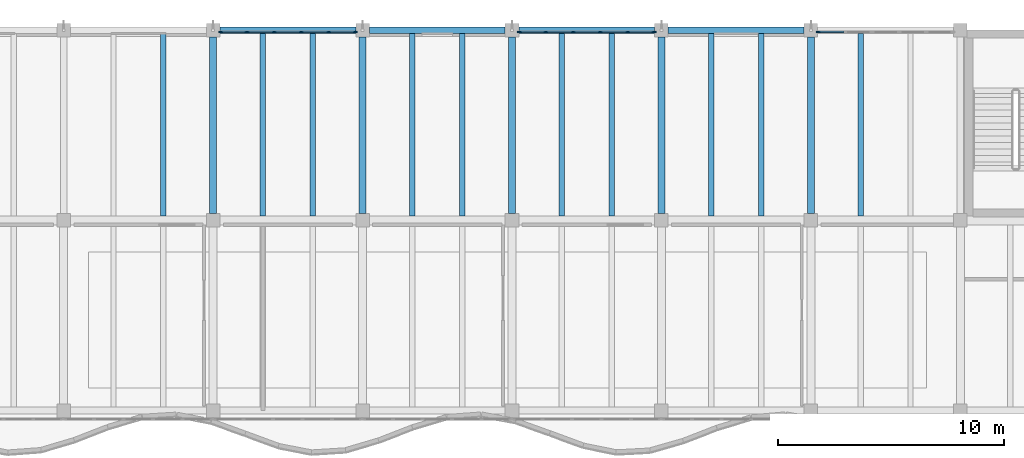
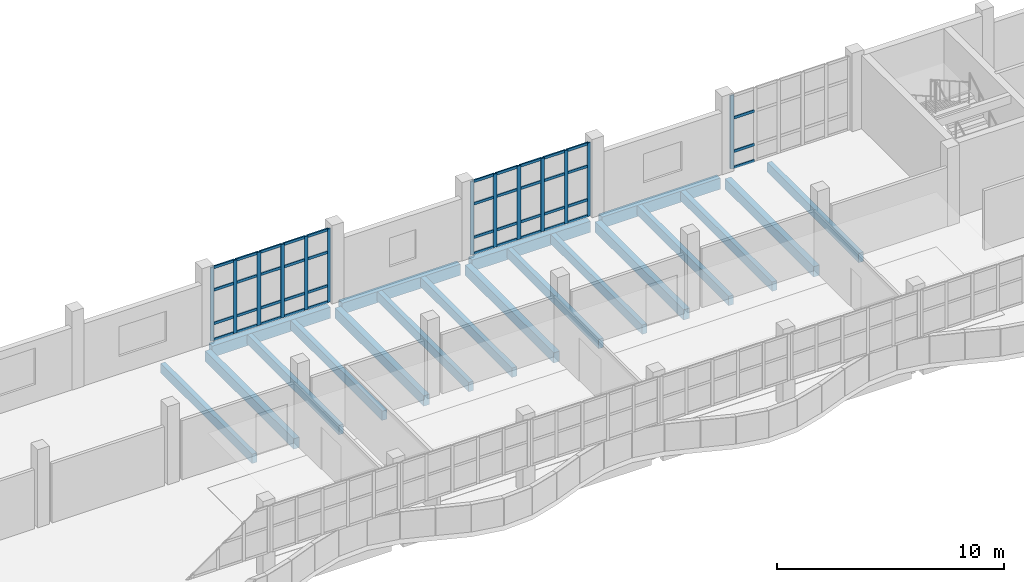
# One storey, part 15 of 74: 56 members, 19 beams, 3 elements without a shape of their own.
"""IFC4 building model written with IfcOpenShell, lengths in metres."""

from ifc_helpers import new_model, si_unit, direction, frame, origin, origin_2d, place, context, subcontext, project, spatial, rectangle, extrude, material, material_profile, profile_set, type_object, element, aggregate, save


model = new_model("IFC4")

# Units and contexts
model_context = context("Model", 3, precision=1e-05, world=origin(), true_north=direction((0.0, 1.0)))
body_context = subcontext(model_context, "Body", "Model", "MODEL_VIEW")
ifc_project = project(units=[si_unit("LENGTHUNIT", "METRE"), si_unit("AREAUNIT", "SQUARE_METRE"), si_unit("VOLUMEUNIT", "CUBIC_METRE"), si_unit("PLANEANGLEUNIT", "RADIAN"), si_unit("MASSUNIT", "GRAM", prefix="KILO")], contexts=[model_context])

# Site, building, storey
site_placement = place(None, origin())
site = spatial("IfcSite", under=ifc_project, at=site_placement, CompositionType="ELEMENT")
building_placement = place(site_placement, origin())
building = spatial("IfcBuilding", under=site, at=building_placement, Name="Qaldarim Faculty of Natural and Applied Sciences", CompositionType="ELEMENT")
storey_placement = place(building_placement, frame((0.0, 0.0, 14.39990234375)))
storey = spatial("IfcBuildingStorey", under=building, at=storey_placement, Name="L03", CompositionType="ELEMENT", Elevation=14.39990234375)

# Beams
ifc_material_1 = material(Name="Concrete C40/50", Category="concrete")
ifc_material_profile_1 = material_profile(ifc_material_1, rectangle(XDim=0.300048828125, YDim=0.550048828125, at=origin_2d()), Name="RC-B300x550")
ifc_profile_set_1 = profile_set([ifc_material_profile_1], Name="Concrete C40/50")
beam_type_1 = type_object("IfcBeamType", Name="FloorBeam-RC300x550", PredefinedType="BEAM", material=ifc_profile_set_1)
for number, where, z_axis, x_axis, name in (
    (1, (66.0, 109.5, -0.534912109375), (0.0, 1.0, 0.0), (-1.0, 0.0, 0.0), "Beam RC-B300x550 L02 X11/Y14-Y15"),
    (2, (72.60009765625, 109.5, -0.534912109375), (0.0, 1.0, 0.0), (-1.0, 0.0, 0.0), "Beam RC-B300x550 L02 X12/Y14-Y15"),
    (3, (79.199951171875, 109.5, -0.534912109375), (0.0, 1.0, 0.0), (-1.0, 0.0, 0.0), "Beam RC-B300x550 L02 X13/Y14-Y15"),
    (4, (85.800048828125, 109.5, -0.534912109375), (0.0, 1.0, 0.0), (-1.0, 0.0, 0.0), "Beam RC-B300x550 L02 X14/Y14-Y15"),
    (5, (92.39990234375, 109.5, -0.534912109375), (0.0, 1.0, 0.0), (-1.0, 0.0, 0.0), "Beam RC-B300x550 L02 X15/Y14-Y15"),
):
    element("IfcBeam", number, at=place(storey_placement, frame(where, z_axis=z_axis, x_axis=x_axis)), inside=storey, type_object=beam_type_1, Name=name, PredefinedType="BEAM", context=body_context, shape_type="SweptSolid", body=[
        extrude(rectangle(XDim=0.300048828125, YDim=0.550048828125, at=origin_2d()), origin(), (0.0, 0.0, 1.0), 7.800048828125),
    ])
ifc_material_profile_2 = material_profile(ifc_material_1, rectangle(XDim=0.239990234375, YDim=0.5, at=origin_2d()), Name="RC-J240x500")
ifc_profile_set_2 = profile_set([ifc_material_profile_2], Name="Concrete C40/50")
beam_type_2 = type_object("IfcBeamType", Name="HeavyJoist-RC240x500", PredefinedType="JOIST", material=ifc_profile_set_2)
for number, where, z_axis, x_axis, name in (
    (6, (63.800048828125, 109.39990234375, -0.510009765625), (0.0, 1.0, 0.0), (-1.0, 0.0, 0.0), "Laboratory joist L02 bay X10Y14-2"),
    (7, (68.199951171875, 109.39990234375, -0.510009765625), (0.0, 1.0, 0.0), (-1.0, 0.0, 0.0), "Laboratory joist L02 bay X11Y14-1"),
    (8, (70.39990234375, 109.39990234375, -0.510009765625), (0.0, 1.0, 0.0), (-1.0, 0.0, 0.0), "Laboratory joist L02 bay X11Y14-2"),
    (9, (74.800048828125, 109.39990234375, -0.510009765625), (0.0, 1.0, 0.0), (-1.0, 0.0, 0.0), "Laboratory joist L02 bay X12Y14-1"),
    (10, (77.0, 109.39990234375, -0.510009765625), (0.0, 1.0, 0.0), (-1.0, 0.0, 0.0), "Laboratory joist L02 bay X12Y14-2"),
    (11, (81.39990234375, 109.39990234375, -0.510009765625), (0.0, 1.0, 0.0), (-1.0, 0.0, 0.0), "Laboratory joist L02 bay X13Y14-1"),
    (12, (83.60009765625, 109.39990234375, -0.510009765625), (0.0, 1.0, 0.0), (-1.0, 0.0, 0.0), "Laboratory joist L02 bay X13Y14-2"),
    (13, (88.0, 109.39990234375, -0.510009765625), (0.0, 1.0, 0.0), (-1.0, 0.0, 0.0), "Laboratory joist L02 bay X14Y14-1"),
    (14, (90.199951171875, 109.39990234375, -0.510009765625), (0.0, 1.0, 0.0), (-1.0, 0.0, 0.0), "Laboratory joist L02 bay X14Y14-2"),
    (15, (94.60009765625, 109.39990234375, -0.510009765625), (0.0, 1.0, 0.0), (-1.0, 0.0, 0.0), "Laboratory joist L02 bay X15Y14-1"),
):
    element("IfcBeam", number, at=place(storey_placement, frame(where, z_axis=z_axis, x_axis=x_axis)), inside=storey, type_object=beam_type_2, Name=name, PredefinedType="JOIST", context=body_context, shape_type="SweptSolid", body=[
        extrude(rectangle(XDim=0.239990234375, YDim=0.5, at=origin_2d()), origin(), (0.0, 0.0, 1.0), 8.050048828125),
    ])

# Curtain wall, members
ifc_material_2 = material(Name="Anodised aluminium AW-6063", Category="aluminium")
curtain_wall_type = type_object("IfcCurtainWallType", Name="CurtainWallSystem-M1200", PredefinedType="USERDEFINED", material=ifc_material_2)
curtain_wall_1_placement = place(storey_placement, origin())
curtain_wall_1 = element("IfcCurtainWall", 16, at=curtain_wall_1_placement, inside=storey, type_object=curtain_wall_type, Name="Curtain wall CW-L03-N-X11Y14", ObjectType="STICK CURTAIN WALL", PredefinedType="USERDEFINED")
ifc_material_profile_3 = material_profile(ifc_material_2, rectangle(XDim=0.070068359375, YDim=0.179931640625, at=origin_2d()), Name="ALU-M70x180")
ifc_profile_set_3 = profile_set([ifc_material_profile_3], Name="Anodised aluminium AW-6063")
member_type_1 = type_object("IfcMemberType", Name="Mullion-ALU70x180", PredefinedType="MULLION", material=ifc_profile_set_3)
member_1_placement = place(storey_placement, frame((72.27001953125, 117.52001953125, 0.0), z_axis=(0.0, 0.0, 1.0), x_axis=(0.0, -1.0, 0.0)))
member_1 = element("IfcMember", 17, at=member_1_placement, type_object=member_type_1, Name="Mullion 1 of CW-L03-N-X11Y14", PredefinedType="MULLION", context=body_context, shape_type="SweptSolid", body=[
    extrude(rectangle(XDim=0.070068359375, YDim=0.179931640625, at=origin_2d()), origin(), (0.0, 0.0, 1.0), 3.940185546875),
])
member_2_placement = place(storey_placement, frame((71.10302734375, 117.52001953125, 0.0), z_axis=(0.0, 0.0, 1.0), x_axis=(0.0, -1.0, 0.0)))
member_2 = element("IfcMember", 18, at=member_2_placement, type_object=member_type_1, Name="Mullion 2 of CW-L03-N-X11Y14", PredefinedType="MULLION", context=body_context, shape_type="SweptSolid", body=[
    extrude(rectangle(XDim=0.070068359375, YDim=0.179931640625, at=origin_2d()), origin(), (0.0, 0.0, 1.0), 3.940185546875),
])
member_3_placement = place(storey_placement, frame((69.90087890625, 117.52001953125, 0.0), z_axis=(0.0, 0.0, 1.0), x_axis=(0.0, -1.0, 0.0)))
member_3 = element("IfcMember", 19, at=member_3_placement, type_object=member_type_1, Name="Mullion 3 of CW-L03-N-X11Y14", PredefinedType="MULLION", context=body_context, shape_type="SweptSolid", body=[
    extrude(rectangle(XDim=0.070068359375, YDim=0.179931640625, at=origin_2d()), origin(), (0.0, 0.0, 1.0), 3.940185546875),
])
member_4_placement = place(storey_placement, frame((68.698974609375, 117.52001953125, 0.0), z_axis=(0.0, 0.0, 1.0), x_axis=(0.0, -1.0, 0.0)))
member_4 = element("IfcMember", 20, at=member_4_placement, type_object=member_type_1, Name="Mullion 4 of CW-L03-N-X11Y14", PredefinedType="MULLION", context=body_context, shape_type="SweptSolid", body=[
    extrude(rectangle(XDim=0.070068359375, YDim=0.179931640625, at=origin_2d()), origin(), (0.0, 0.0, 1.0), 3.940185546875),
])
member_5_placement = place(storey_placement, frame((67.4970703125, 117.52001953125, 0.0), z_axis=(0.0, 0.0, 1.0), x_axis=(0.0, -1.0, 0.0)))
member_5 = element("IfcMember", 21, at=member_5_placement, type_object=member_type_1, Name="Mullion 5 of CW-L03-N-X11Y14", PredefinedType="MULLION", context=body_context, shape_type="SweptSolid", body=[
    extrude(rectangle(XDim=0.070068359375, YDim=0.179931640625, at=origin_2d()), origin(), (0.0, 0.0, 1.0), 3.940185546875),
])
member_6_placement = place(storey_placement, frame((66.330078125, 117.52001953125, 0.0), z_axis=(0.0, 0.0, 1.0), x_axis=(0.0, -1.0, 0.0)))
member_6 = element("IfcMember", 22, at=member_6_placement, type_object=member_type_1, Name="Mullion 6 of CW-L03-N-X11Y14", PredefinedType="MULLION", context=body_context, shape_type="SweptSolid", body=[
    extrude(rectangle(XDim=0.070068359375, YDim=0.179931640625, at=origin_2d()), origin(), (0.0, 0.0, 1.0), 3.940185546875),
])

curtain_wall_2_placement = place(storey_placement, origin())
curtain_wall_2 = element("IfcCurtainWall", 23, at=curtain_wall_2_placement, inside=storey, type_object=curtain_wall_type, Name="Curtain wall CW-L03-N-X13Y14", ObjectType="STICK CURTAIN WALL", PredefinedType="USERDEFINED")
member_7_placement = place(storey_placement, frame((85.469970703125, 117.52001953125, 0.0), z_axis=(0.0, 0.0, 1.0), x_axis=(0.0, -1.0, 0.0)))
member_7 = element("IfcMember", 24, at=member_7_placement, type_object=member_type_1, Name="Mullion 1 of CW-L03-N-X13Y14", PredefinedType="MULLION", context=body_context, shape_type="SweptSolid", body=[
    extrude(rectangle(XDim=0.070068359375, YDim=0.179931640625, at=origin_2d()), origin(), (0.0, 0.0, 1.0), 3.940185546875),
])
member_8_placement = place(storey_placement, frame((84.302978515625, 117.52001953125, 0.0), z_axis=(0.0, 0.0, 1.0), x_axis=(0.0, -1.0, 0.0)))
member_8 = element("IfcMember", 25, at=member_8_placement, type_object=member_type_1, Name="Mullion 2 of CW-L03-N-X13Y14", PredefinedType="MULLION", context=body_context, shape_type="SweptSolid", body=[
    extrude(rectangle(XDim=0.070068359375, YDim=0.179931640625, at=origin_2d()), origin(), (0.0, 0.0, 1.0), 3.940185546875),
])
member_9_placement = place(storey_placement, frame((83.10107421875, 117.52001953125, 0.0), z_axis=(0.0, 0.0, 1.0), x_axis=(0.0, -1.0, 0.0)))
member_9 = element("IfcMember", 26, at=member_9_placement, type_object=member_type_1, Name="Mullion 3 of CW-L03-N-X13Y14", PredefinedType="MULLION", context=body_context, shape_type="SweptSolid", body=[
    extrude(rectangle(XDim=0.070068359375, YDim=0.179931640625, at=origin_2d()), origin(), (0.0, 0.0, 1.0), 3.940185546875),
])
member_10_placement = place(storey_placement, frame((81.89892578125, 117.52001953125, 0.0), z_axis=(0.0, 0.0, 1.0), x_axis=(0.0, -1.0, 0.0)))
member_10 = element("IfcMember", 27, at=member_10_placement, type_object=member_type_1, Name="Mullion 4 of CW-L03-N-X13Y14", PredefinedType="MULLION", context=body_context, shape_type="SweptSolid", body=[
    extrude(rectangle(XDim=0.070068359375, YDim=0.179931640625, at=origin_2d()), origin(), (0.0, 0.0, 1.0), 3.940185546875),
])
member_11_placement = place(storey_placement, frame((80.697021484375, 117.52001953125, 0.0), z_axis=(0.0, 0.0, 1.0), x_axis=(0.0, -1.0, 0.0)))
member_11 = element("IfcMember", 28, at=member_11_placement, type_object=member_type_1, Name="Mullion 5 of CW-L03-N-X13Y14", PredefinedType="MULLION", context=body_context, shape_type="SweptSolid", body=[
    extrude(rectangle(XDim=0.070068359375, YDim=0.179931640625, at=origin_2d()), origin(), (0.0, 0.0, 1.0), 3.940185546875),
])
member_12_placement = place(storey_placement, frame((79.530029296875, 117.52001953125, 0.0), z_axis=(0.0, 0.0, 1.0), x_axis=(0.0, -1.0, 0.0)))
member_12 = element("IfcMember", 29, at=member_12_placement, type_object=member_type_1, Name="Mullion 6 of CW-L03-N-X13Y14", PredefinedType="MULLION", context=body_context, shape_type="SweptSolid", body=[
    extrude(rectangle(XDim=0.070068359375, YDim=0.179931640625, at=origin_2d()), origin(), (0.0, 0.0, 1.0), 3.940185546875),
])

# Curtain wall, member
curtain_wall_3_placement = place(storey_placement, origin())
curtain_wall_3 = element("IfcCurtainWall", 30, at=curtain_wall_3_placement, inside=storey, type_object=curtain_wall_type, Name="Curtain wall CW-L03-N-X15Y14", ObjectType="STICK CURTAIN WALL", PredefinedType="USERDEFINED")
member_13_placement = place(storey_placement, frame((92.72998046875, 117.52001953125, 0.0), z_axis=(0.0, 0.0, 1.0), x_axis=(0.0, -1.0, 0.0)))
member_13 = element("IfcMember", 31, at=member_13_placement, type_object=member_type_1, Name="Mullion 6 of CW-L03-N-X15Y14", PredefinedType="MULLION", context=body_context, shape_type="SweptSolid", body=[
    extrude(rectangle(XDim=0.070068359375, YDim=0.179931640625, at=origin_2d()), origin(), (0.0, 0.0, 1.0), 3.940185546875),
])

# Beams
ifc_material_3 = material(Name="Precast concrete C40/50", Category="concrete")
ifc_material_profile_4 = material_profile(ifc_material_3, rectangle(XDim=0.300048828125, YDim=0.60009765625, at=origin_2d()), Name="RC-SP300x600")
ifc_profile_set_4 = profile_set([ifc_material_profile_4], Name="Precast concrete C40/50")
beam_type_3 = type_object("IfcBeamType", Name="SpandrelBeam-RC300x600", PredefinedType="SPANDREL", material=ifc_profile_set_4)
for number, where, z_axis, x_axis, name in (
    (32, (66.300048828125, 117.60009765625, -0.559814453125), (1.0, 0.0, 0.0), (0.0, 1.0, 0.0), "Beam RC-SP300x600 L02 X11-X12/Y15"),
    (33, (72.89990234375, 117.60009765625, -0.559814453125), (1.0, 0.0, 0.0), (0.0, 1.0, 0.0), "Beam RC-SP300x600 L02 X12-X13/Y15"),
    (34, (79.5, 117.60009765625, -0.559814453125), (1.0, 0.0, 0.0), (0.0, 1.0, 0.0), "Beam RC-SP300x600 L02 X13-X14/Y15"),
    (35, (86.10009765625, 117.60009765625, -0.559814453125), (1.0, 0.0, 0.0), (0.0, 1.0, 0.0), "Beam RC-SP300x600 L02 X14-X15/Y15"),
):
    element("IfcBeam", number, at=place(storey_placement, frame(where, z_axis=z_axis, x_axis=x_axis)), inside=storey, type_object=beam_type_3, Name=name, PredefinedType="SPANDREL", context=body_context, shape_type="SweptSolid", body=[
        extrude(rectangle(XDim=0.300048828125, YDim=0.60009765625, at=origin_2d()), origin(), (0.0, 0.0, 1.0), 6.0),
    ])

# Member
ifc_material_profile_5 = material_profile(ifc_material_2, rectangle(XDim=0.070068359375, YDim=0.139892578125, at=origin_2d()), Name="ALU-T70x140")
ifc_profile_set_5 = profile_set([ifc_material_profile_5], Name="Anodised aluminium AW-6063")
member_type_2 = type_object("IfcMemberType", Name="Transom-ALU70x140", PredefinedType="USERDEFINED", material=ifc_profile_set_5)
member_14_placement = place(storey_placement, frame((72.235107421875, 117.52001953125, 0.03515625), z_axis=(-1.0, 0.0, 0.0), x_axis=(0.0, -1.0, 0.0)))
member_14 = element("IfcMember", 36, at=member_14_placement, type_object=member_type_2, Name="Transom 1-1 of CW-L03-N-X11Y14", ObjectType="TRANSOM", PredefinedType="USERDEFINED", context=body_context, shape_type="SweptSolid", body=[
    extrude(rectangle(XDim=0.070068359375, YDim=0.139892578125, at=origin_2d()), origin(), (0.0, 0.0, 1.0), 1.09716796875),
])

member_15_placement = place(storey_placement, frame((72.235107421875, 117.52001953125, 0.900146484375), z_axis=(-1.0, 0.0, 0.0), x_axis=(0.0, -1.0, 0.0)))
member_15 = element("IfcMember", 37, at=member_15_placement, type_object=member_type_2, Name="Transom 1-2 of CW-L03-N-X11Y14", ObjectType="TRANSOM", PredefinedType="USERDEFINED", context=body_context, shape_type="SweptSolid", body=[
    extrude(rectangle(XDim=0.070068359375, YDim=0.139892578125, at=origin_2d()), origin(), (0.0, 0.0, 1.0), 1.09716796875),
])

member_16_placement = place(storey_placement, frame((72.235107421875, 117.52001953125, 2.7001953125), z_axis=(-1.0, 0.0, 0.0), x_axis=(0.0, -1.0, 0.0)))
member_16 = element("IfcMember", 38, at=member_16_placement, type_object=member_type_2, Name="Transom 1-3 of CW-L03-N-X11Y14", ObjectType="TRANSOM", PredefinedType="USERDEFINED", context=body_context, shape_type="SweptSolid", body=[
    extrude(rectangle(XDim=0.070068359375, YDim=0.139892578125, at=origin_2d()), origin(), (0.0, 0.0, 1.0), 1.09716796875),
])

member_17_placement = place(storey_placement, frame((72.235107421875, 117.52001953125, 3.905029296875), z_axis=(-1.0, 0.0, 0.0), x_axis=(0.0, -1.0, 0.0)))
member_17 = element("IfcMember", 39, at=member_17_placement, type_object=member_type_2, Name="Transom 1-4 of CW-L03-N-X11Y14", ObjectType="TRANSOM", PredefinedType="USERDEFINED", context=body_context, shape_type="SweptSolid", body=[
    extrude(rectangle(XDim=0.070068359375, YDim=0.139892578125, at=origin_2d()), origin(), (0.0, 0.0, 1.0), 1.09716796875),
])

member_18_placement = place(storey_placement, frame((71.068115234375, 117.52001953125, 0.03515625), z_axis=(-1.0, 0.0, 0.0), x_axis=(0.0, -1.0, 0.0)))
member_18 = element("IfcMember", 40, at=member_18_placement, type_object=member_type_2, Name="Transom 2-1 of CW-L03-N-X11Y14", ObjectType="TRANSOM", PredefinedType="USERDEFINED", context=body_context, shape_type="SweptSolid", body=[
    extrude(rectangle(XDim=0.070068359375, YDim=0.139892578125, at=origin_2d()), origin(), (0.0, 0.0, 1.0), 1.132080078125),
])

member_19_placement = place(storey_placement, frame((71.068115234375, 117.52001953125, 0.900146484375), z_axis=(-1.0, 0.0, 0.0), x_axis=(0.0, -1.0, 0.0)))
member_19 = element("IfcMember", 41, at=member_19_placement, type_object=member_type_2, Name="Transom 2-2 of CW-L03-N-X11Y14", ObjectType="TRANSOM", PredefinedType="USERDEFINED", context=body_context, shape_type="SweptSolid", body=[
    extrude(rectangle(XDim=0.070068359375, YDim=0.139892578125, at=origin_2d()), origin(), (0.0, 0.0, 1.0), 1.132080078125),
])

member_20_placement = place(storey_placement, frame((71.068115234375, 117.52001953125, 2.7001953125), z_axis=(-1.0, 0.0, 0.0), x_axis=(0.0, -1.0, 0.0)))
member_20 = element("IfcMember", 42, at=member_20_placement, type_object=member_type_2, Name="Transom 2-3 of CW-L03-N-X11Y14", ObjectType="TRANSOM", PredefinedType="USERDEFINED", context=body_context, shape_type="SweptSolid", body=[
    extrude(rectangle(XDim=0.070068359375, YDim=0.139892578125, at=origin_2d()), origin(), (0.0, 0.0, 1.0), 1.132080078125),
])

member_21_placement = place(storey_placement, frame((71.068115234375, 117.52001953125, 3.905029296875), z_axis=(-1.0, 0.0, 0.0), x_axis=(0.0, -1.0, 0.0)))
member_21 = element("IfcMember", 43, at=member_21_placement, type_object=member_type_2, Name="Transom 2-4 of CW-L03-N-X11Y14", ObjectType="TRANSOM", PredefinedType="USERDEFINED", context=body_context, shape_type="SweptSolid", body=[
    extrude(rectangle(XDim=0.070068359375, YDim=0.139892578125, at=origin_2d()), origin(), (0.0, 0.0, 1.0), 1.132080078125),
])

member_22_placement = place(storey_placement, frame((69.865966796875, 117.52001953125, 0.03515625), z_axis=(-1.0, 0.0, 0.0), x_axis=(0.0, -1.0, 0.0)))
member_22 = element("IfcMember", 44, at=member_22_placement, type_object=member_type_2, Name="Transom 3-1 of CW-L03-N-X11Y14", ObjectType="TRANSOM", PredefinedType="USERDEFINED", context=body_context, shape_type="SweptSolid", body=[
    extrude(rectangle(XDim=0.070068359375, YDim=0.139892578125, at=origin_2d()), origin(), (0.0, 0.0, 1.0), 1.132080078125),
])

member_23_placement = place(storey_placement, frame((69.865966796875, 117.52001953125, 0.900146484375), z_axis=(-1.0, 0.0, 0.0), x_axis=(0.0, -1.0, 0.0)))
member_23 = element("IfcMember", 45, at=member_23_placement, type_object=member_type_2, Name="Transom 3-2 of CW-L03-N-X11Y14", ObjectType="TRANSOM", PredefinedType="USERDEFINED", context=body_context, shape_type="SweptSolid", body=[
    extrude(rectangle(XDim=0.070068359375, YDim=0.139892578125, at=origin_2d()), origin(), (0.0, 0.0, 1.0), 1.132080078125),
])

member_24_placement = place(storey_placement, frame((69.865966796875, 117.52001953125, 2.7001953125), z_axis=(-1.0, 0.0, 0.0), x_axis=(0.0, -1.0, 0.0)))
member_24 = element("IfcMember", 46, at=member_24_placement, type_object=member_type_2, Name="Transom 3-3 of CW-L03-N-X11Y14", ObjectType="TRANSOM", PredefinedType="USERDEFINED", context=body_context, shape_type="SweptSolid", body=[
    extrude(rectangle(XDim=0.070068359375, YDim=0.139892578125, at=origin_2d()), origin(), (0.0, 0.0, 1.0), 1.132080078125),
])

member_25_placement = place(storey_placement, frame((69.865966796875, 117.52001953125, 3.905029296875), z_axis=(-1.0, 0.0, 0.0), x_axis=(0.0, -1.0, 0.0)))
member_25 = element("IfcMember", 47, at=member_25_placement, type_object=member_type_2, Name="Transom 3-4 of CW-L03-N-X11Y14", ObjectType="TRANSOM", PredefinedType="USERDEFINED", context=body_context, shape_type="SweptSolid", body=[
    extrude(rectangle(XDim=0.070068359375, YDim=0.139892578125, at=origin_2d()), origin(), (0.0, 0.0, 1.0), 1.132080078125),
])

member_26_placement = place(storey_placement, frame((68.6640625, 117.52001953125, 0.03515625), z_axis=(-1.0, 0.0, 0.0), x_axis=(0.0, -1.0, 0.0)))
member_26 = element("IfcMember", 48, at=member_26_placement, type_object=member_type_2, Name="Transom 4-1 of CW-L03-N-X11Y14", ObjectType="TRANSOM", PredefinedType="USERDEFINED", context=body_context, shape_type="SweptSolid", body=[
    extrude(rectangle(XDim=0.070068359375, YDim=0.139892578125, at=origin_2d()), origin(), (0.0, 0.0, 1.0), 1.132080078125),
])

member_27_placement = place(storey_placement, frame((68.6640625, 117.52001953125, 0.900146484375), z_axis=(-1.0, 0.0, 0.0), x_axis=(0.0, -1.0, 0.0)))
member_27 = element("IfcMember", 49, at=member_27_placement, type_object=member_type_2, Name="Transom 4-2 of CW-L03-N-X11Y14", ObjectType="TRANSOM", PredefinedType="USERDEFINED", context=body_context, shape_type="SweptSolid", body=[
    extrude(rectangle(XDim=0.070068359375, YDim=0.139892578125, at=origin_2d()), origin(), (0.0, 0.0, 1.0), 1.132080078125),
])

member_28_placement = place(storey_placement, frame((68.6640625, 117.52001953125, 2.7001953125), z_axis=(-1.0, 0.0, 0.0), x_axis=(0.0, -1.0, 0.0)))
member_28 = element("IfcMember", 50, at=member_28_placement, type_object=member_type_2, Name="Transom 4-3 of CW-L03-N-X11Y14", ObjectType="TRANSOM", PredefinedType="USERDEFINED", context=body_context, shape_type="SweptSolid", body=[
    extrude(rectangle(XDim=0.070068359375, YDim=0.139892578125, at=origin_2d()), origin(), (0.0, 0.0, 1.0), 1.132080078125),
])

member_29_placement = place(storey_placement, frame((68.6640625, 117.52001953125, 3.905029296875), z_axis=(-1.0, 0.0, 0.0), x_axis=(0.0, -1.0, 0.0)))
member_29 = element("IfcMember", 51, at=member_29_placement, type_object=member_type_2, Name="Transom 4-4 of CW-L03-N-X11Y14", ObjectType="TRANSOM", PredefinedType="USERDEFINED", context=body_context, shape_type="SweptSolid", body=[
    extrude(rectangle(XDim=0.070068359375, YDim=0.139892578125, at=origin_2d()), origin(), (0.0, 0.0, 1.0), 1.132080078125),
])

member_30_placement = place(storey_placement, frame((67.4619140625, 117.52001953125, 0.03515625), z_axis=(-1.0, 0.0, 0.0), x_axis=(0.0, -1.0, 0.0)))
member_30 = element("IfcMember", 52, at=member_30_placement, type_object=member_type_2, Name="Transom 5-1 of CW-L03-N-X11Y14", ObjectType="TRANSOM", PredefinedType="USERDEFINED", context=body_context, shape_type="SweptSolid", body=[
    extrude(rectangle(XDim=0.070068359375, YDim=0.139892578125, at=origin_2d()), origin(), (0.0, 0.0, 1.0), 1.096923828125),
])

member_31_placement = place(storey_placement, frame((67.4619140625, 117.52001953125, 0.900146484375), z_axis=(-1.0, 0.0, 0.0), x_axis=(0.0, -1.0, 0.0)))
member_31 = element("IfcMember", 53, at=member_31_placement, type_object=member_type_2, Name="Transom 5-2 of CW-L03-N-X11Y14", ObjectType="TRANSOM", PredefinedType="USERDEFINED", context=body_context, shape_type="SweptSolid", body=[
    extrude(rectangle(XDim=0.070068359375, YDim=0.139892578125, at=origin_2d()), origin(), (0.0, 0.0, 1.0), 1.096923828125),
])

member_32_placement = place(storey_placement, frame((67.4619140625, 117.52001953125, 2.7001953125), z_axis=(-1.0, 0.0, 0.0), x_axis=(0.0, -1.0, 0.0)))
member_32 = element("IfcMember", 54, at=member_32_placement, type_object=member_type_2, Name="Transom 5-3 of CW-L03-N-X11Y14", ObjectType="TRANSOM", PredefinedType="USERDEFINED", context=body_context, shape_type="SweptSolid", body=[
    extrude(rectangle(XDim=0.070068359375, YDim=0.139892578125, at=origin_2d()), origin(), (0.0, 0.0, 1.0), 1.096923828125),
])

member_33_placement = place(storey_placement, frame((67.4619140625, 117.52001953125, 3.905029296875), z_axis=(-1.0, 0.0, 0.0), x_axis=(0.0, -1.0, 0.0)))
member_33 = element("IfcMember", 55, at=member_33_placement, type_object=member_type_2, Name="Transom 5-4 of CW-L03-N-X11Y14", ObjectType="TRANSOM", PredefinedType="USERDEFINED", context=body_context, shape_type="SweptSolid", body=[
    extrude(rectangle(XDim=0.070068359375, YDim=0.139892578125, at=origin_2d()), origin(), (0.0, 0.0, 1.0), 1.096923828125),
])

aggregate(curtain_wall_1, [member_1, member_2, member_3, member_4, member_5, member_6, member_14, member_15, member_16, member_17, member_18, member_19, member_20, member_21, member_22, member_23, member_24, member_25, member_26, member_27, member_28, member_29, member_30, member_31, member_32, member_33])

member_34_placement = place(storey_placement, frame((85.43505859375, 117.52001953125, 0.03515625), z_axis=(-1.0, 0.0, 0.0), x_axis=(0.0, -1.0, 0.0)))
member_34 = element("IfcMember", 56, at=member_34_placement, type_object=member_type_2, Name="Transom 1-1 of CW-L03-N-X13Y14", ObjectType="TRANSOM", PredefinedType="USERDEFINED", context=body_context, shape_type="SweptSolid", body=[
    extrude(rectangle(XDim=0.070068359375, YDim=0.139892578125, at=origin_2d()), origin(), (0.0, 0.0, 1.0), 1.09716796875),
])

member_35_placement = place(storey_placement, frame((85.43505859375, 117.52001953125, 0.900146484375), z_axis=(-1.0, 0.0, 0.0), x_axis=(0.0, -1.0, 0.0)))
member_35 = element("IfcMember", 57, at=member_35_placement, type_object=member_type_2, Name="Transom 1-2 of CW-L03-N-X13Y14", ObjectType="TRANSOM", PredefinedType="USERDEFINED", context=body_context, shape_type="SweptSolid", body=[
    extrude(rectangle(XDim=0.070068359375, YDim=0.139892578125, at=origin_2d()), origin(), (0.0, 0.0, 1.0), 1.09716796875),
])

member_36_placement = place(storey_placement, frame((85.43505859375, 117.52001953125, 2.7001953125), z_axis=(-1.0, 0.0, 0.0), x_axis=(0.0, -1.0, 0.0)))
member_36 = element("IfcMember", 58, at=member_36_placement, type_object=member_type_2, Name="Transom 1-3 of CW-L03-N-X13Y14", ObjectType="TRANSOM", PredefinedType="USERDEFINED", context=body_context, shape_type="SweptSolid", body=[
    extrude(rectangle(XDim=0.070068359375, YDim=0.139892578125, at=origin_2d()), origin(), (0.0, 0.0, 1.0), 1.09716796875),
])

member_37_placement = place(storey_placement, frame((85.43505859375, 117.52001953125, 3.905029296875), z_axis=(-1.0, 0.0, 0.0), x_axis=(0.0, -1.0, 0.0)))
member_37 = element("IfcMember", 59, at=member_37_placement, type_object=member_type_2, Name="Transom 1-4 of CW-L03-N-X13Y14", ObjectType="TRANSOM", PredefinedType="USERDEFINED", context=body_context, shape_type="SweptSolid", body=[
    extrude(rectangle(XDim=0.070068359375, YDim=0.139892578125, at=origin_2d()), origin(), (0.0, 0.0, 1.0), 1.09716796875),
])

member_38_placement = place(storey_placement, frame((84.26806640625, 117.52001953125, 0.03515625), z_axis=(-1.0, 0.0, 0.0), x_axis=(0.0, -1.0, 0.0)))
member_38 = element("IfcMember", 60, at=member_38_placement, type_object=member_type_2, Name="Transom 2-1 of CW-L03-N-X13Y14", ObjectType="TRANSOM", PredefinedType="USERDEFINED", context=body_context, shape_type="SweptSolid", body=[
    extrude(rectangle(XDim=0.070068359375, YDim=0.139892578125, at=origin_2d()), origin(), (0.0, 0.0, 1.0), 1.132080078125),
])

member_39_placement = place(storey_placement, frame((84.26806640625, 117.52001953125, 0.900146484375), z_axis=(-1.0, 0.0, 0.0), x_axis=(0.0, -1.0, 0.0)))
member_39 = element("IfcMember", 61, at=member_39_placement, type_object=member_type_2, Name="Transom 2-2 of CW-L03-N-X13Y14", ObjectType="TRANSOM", PredefinedType="USERDEFINED", context=body_context, shape_type="SweptSolid", body=[
    extrude(rectangle(XDim=0.070068359375, YDim=0.139892578125, at=origin_2d()), origin(), (0.0, 0.0, 1.0), 1.132080078125),
])

member_40_placement = place(storey_placement, frame((84.26806640625, 117.52001953125, 2.7001953125), z_axis=(-1.0, 0.0, 0.0), x_axis=(0.0, -1.0, 0.0)))
member_40 = element("IfcMember", 62, at=member_40_placement, type_object=member_type_2, Name="Transom 2-3 of CW-L03-N-X13Y14", ObjectType="TRANSOM", PredefinedType="USERDEFINED", context=body_context, shape_type="SweptSolid", body=[
    extrude(rectangle(XDim=0.070068359375, YDim=0.139892578125, at=origin_2d()), origin(), (0.0, 0.0, 1.0), 1.132080078125),
])

member_41_placement = place(storey_placement, frame((84.26806640625, 117.52001953125, 3.905029296875), z_axis=(-1.0, 0.0, 0.0), x_axis=(0.0, -1.0, 0.0)))
member_41 = element("IfcMember", 63, at=member_41_placement, type_object=member_type_2, Name="Transom 2-4 of CW-L03-N-X13Y14", ObjectType="TRANSOM", PredefinedType="USERDEFINED", context=body_context, shape_type="SweptSolid", body=[
    extrude(rectangle(XDim=0.070068359375, YDim=0.139892578125, at=origin_2d()), origin(), (0.0, 0.0, 1.0), 1.132080078125),
])

member_42_placement = place(storey_placement, frame((83.06591796875, 117.52001953125, 0.03515625), z_axis=(-1.0, 0.0, 0.0), x_axis=(0.0, -1.0, 0.0)))
member_42 = element("IfcMember", 64, at=member_42_placement, type_object=member_type_2, Name="Transom 3-1 of CW-L03-N-X13Y14", ObjectType="TRANSOM", PredefinedType="USERDEFINED", context=body_context, shape_type="SweptSolid", body=[
    extrude(rectangle(XDim=0.070068359375, YDim=0.139892578125, at=origin_2d()), origin(), (0.0, 0.0, 1.0), 1.1318359375),
])

member_43_placement = place(storey_placement, frame((83.06591796875, 117.52001953125, 0.900146484375), z_axis=(-1.0, 0.0, 0.0), x_axis=(0.0, -1.0, 0.0)))
member_43 = element("IfcMember", 65, at=member_43_placement, type_object=member_type_2, Name="Transom 3-2 of CW-L03-N-X13Y14", ObjectType="TRANSOM", PredefinedType="USERDEFINED", context=body_context, shape_type="SweptSolid", body=[
    extrude(rectangle(XDim=0.070068359375, YDim=0.139892578125, at=origin_2d()), origin(), (0.0, 0.0, 1.0), 1.1318359375),
])

member_44_placement = place(storey_placement, frame((83.06591796875, 117.52001953125, 2.7001953125), z_axis=(-1.0, 0.0, 0.0), x_axis=(0.0, -1.0, 0.0)))
member_44 = element("IfcMember", 66, at=member_44_placement, type_object=member_type_2, Name="Transom 3-3 of CW-L03-N-X13Y14", ObjectType="TRANSOM", PredefinedType="USERDEFINED", context=body_context, shape_type="SweptSolid", body=[
    extrude(rectangle(XDim=0.070068359375, YDim=0.139892578125, at=origin_2d()), origin(), (0.0, 0.0, 1.0), 1.1318359375),
])

member_45_placement = place(storey_placement, frame((83.06591796875, 117.52001953125, 3.905029296875), z_axis=(-1.0, 0.0, 0.0), x_axis=(0.0, -1.0, 0.0)))
member_45 = element("IfcMember", 67, at=member_45_placement, type_object=member_type_2, Name="Transom 3-4 of CW-L03-N-X13Y14", ObjectType="TRANSOM", PredefinedType="USERDEFINED", context=body_context, shape_type="SweptSolid", body=[
    extrude(rectangle(XDim=0.070068359375, YDim=0.139892578125, at=origin_2d()), origin(), (0.0, 0.0, 1.0), 1.1318359375),
])

member_46_placement = place(storey_placement, frame((81.864013671875, 117.52001953125, 0.03515625), z_axis=(-1.0, 0.0, 0.0), x_axis=(0.0, -1.0, 0.0)))
member_46 = element("IfcMember", 68, at=member_46_placement, type_object=member_type_2, Name="Transom 4-1 of CW-L03-N-X13Y14", ObjectType="TRANSOM", PredefinedType="USERDEFINED", context=body_context, shape_type="SweptSolid", body=[
    extrude(rectangle(XDim=0.070068359375, YDim=0.139892578125, at=origin_2d()), origin(), (0.0, 0.0, 1.0), 1.132080078125),
])

member_47_placement = place(storey_placement, frame((81.864013671875, 117.52001953125, 0.900146484375), z_axis=(-1.0, 0.0, 0.0), x_axis=(0.0, -1.0, 0.0)))
member_47 = element("IfcMember", 69, at=member_47_placement, type_object=member_type_2, Name="Transom 4-2 of CW-L03-N-X13Y14", ObjectType="TRANSOM", PredefinedType="USERDEFINED", context=body_context, shape_type="SweptSolid", body=[
    extrude(rectangle(XDim=0.070068359375, YDim=0.139892578125, at=origin_2d()), origin(), (0.0, 0.0, 1.0), 1.132080078125),
])

member_48_placement = place(storey_placement, frame((81.864013671875, 117.52001953125, 2.7001953125), z_axis=(-1.0, 0.0, 0.0), x_axis=(0.0, -1.0, 0.0)))
member_48 = element("IfcMember", 70, at=member_48_placement, type_object=member_type_2, Name="Transom 4-3 of CW-L03-N-X13Y14", ObjectType="TRANSOM", PredefinedType="USERDEFINED", context=body_context, shape_type="SweptSolid", body=[
    extrude(rectangle(XDim=0.070068359375, YDim=0.139892578125, at=origin_2d()), origin(), (0.0, 0.0, 1.0), 1.132080078125),
])

member_49_placement = place(storey_placement, frame((81.864013671875, 117.52001953125, 3.905029296875), z_axis=(-1.0, 0.0, 0.0), x_axis=(0.0, -1.0, 0.0)))
member_49 = element("IfcMember", 71, at=member_49_placement, type_object=member_type_2, Name="Transom 4-4 of CW-L03-N-X13Y14", ObjectType="TRANSOM", PredefinedType="USERDEFINED", context=body_context, shape_type="SweptSolid", body=[
    extrude(rectangle(XDim=0.070068359375, YDim=0.139892578125, at=origin_2d()), origin(), (0.0, 0.0, 1.0), 1.132080078125),
])

member_50_placement = place(storey_placement, frame((80.662109375, 117.52001953125, 0.03515625), z_axis=(-1.0, 0.0, 0.0), x_axis=(0.0, -1.0, 0.0)))
member_50 = element("IfcMember", 72, at=member_50_placement, type_object=member_type_2, Name="Transom 5-1 of CW-L03-N-X13Y14", ObjectType="TRANSOM", PredefinedType="USERDEFINED", context=body_context, shape_type="SweptSolid", body=[
    extrude(rectangle(XDim=0.070068359375, YDim=0.139892578125, at=origin_2d()), origin(), (0.0, 0.0, 1.0), 1.09716796875),
])

member_51_placement = place(storey_placement, frame((80.662109375, 117.52001953125, 0.900146484375), z_axis=(-1.0, 0.0, 0.0), x_axis=(0.0, -1.0, 0.0)))
member_51 = element("IfcMember", 73, at=member_51_placement, type_object=member_type_2, Name="Transom 5-2 of CW-L03-N-X13Y14", ObjectType="TRANSOM", PredefinedType="USERDEFINED", context=body_context, shape_type="SweptSolid", body=[
    extrude(rectangle(XDim=0.070068359375, YDim=0.139892578125, at=origin_2d()), origin(), (0.0, 0.0, 1.0), 1.09716796875),
])

member_52_placement = place(storey_placement, frame((80.662109375, 117.52001953125, 2.7001953125), z_axis=(-1.0, 0.0, 0.0), x_axis=(0.0, -1.0, 0.0)))
member_52 = element("IfcMember", 74, at=member_52_placement, type_object=member_type_2, Name="Transom 5-3 of CW-L03-N-X13Y14", ObjectType="TRANSOM", PredefinedType="USERDEFINED", context=body_context, shape_type="SweptSolid", body=[
    extrude(rectangle(XDim=0.070068359375, YDim=0.139892578125, at=origin_2d()), origin(), (0.0, 0.0, 1.0), 1.09716796875),
])

member_53_placement = place(storey_placement, frame((80.662109375, 117.52001953125, 3.905029296875), z_axis=(-1.0, 0.0, 0.0), x_axis=(0.0, -1.0, 0.0)))
member_53 = element("IfcMember", 75, at=member_53_placement, type_object=member_type_2, Name="Transom 5-4 of CW-L03-N-X13Y14", ObjectType="TRANSOM", PredefinedType="USERDEFINED", context=body_context, shape_type="SweptSolid", body=[
    extrude(rectangle(XDim=0.070068359375, YDim=0.139892578125, at=origin_2d()), origin(), (0.0, 0.0, 1.0), 1.09716796875),
])

aggregate(curtain_wall_2, [member_7, member_8, member_9, member_10, member_11, member_12, member_34, member_35, member_36, member_37, member_38, member_39, member_40, member_41, member_42, member_43, member_44, member_45, member_46, member_47, member_48, member_49, member_50, member_51, member_52, member_53])

member_54_placement = place(storey_placement, frame((93.862060546875, 117.52001953125, 0.03515625), z_axis=(-1.0, 0.0, 0.0), x_axis=(0.0, -1.0, 0.0)))
member_54 = element("IfcMember", 76, at=member_54_placement, type_object=member_type_2, Name="Transom 5-1 of CW-L03-N-X15Y14", ObjectType="TRANSOM", PredefinedType="USERDEFINED", context=body_context, shape_type="SweptSolid", body=[
    extrude(rectangle(XDim=0.070068359375, YDim=0.139892578125, at=origin_2d()), origin(), (0.0, 0.0, 1.0), 1.09716796875),
])

member_55_placement = place(storey_placement, frame((93.862060546875, 117.52001953125, 0.900146484375), z_axis=(-1.0, 0.0, 0.0), x_axis=(0.0, -1.0, 0.0)))
member_55 = element("IfcMember", 77, at=member_55_placement, type_object=member_type_2, Name="Transom 5-2 of CW-L03-N-X15Y14", ObjectType="TRANSOM", PredefinedType="USERDEFINED", context=body_context, shape_type="SweptSolid", body=[
    extrude(rectangle(XDim=0.070068359375, YDim=0.139892578125, at=origin_2d()), origin(), (0.0, 0.0, 1.0), 1.09716796875),
])

member_56_placement = place(storey_placement, frame((93.862060546875, 117.52001953125, 2.7001953125), z_axis=(-1.0, 0.0, 0.0), x_axis=(0.0, -1.0, 0.0)))
member_56 = element("IfcMember", 78, at=member_56_placement, type_object=member_type_2, Name="Transom 5-3 of CW-L03-N-X15Y14", ObjectType="TRANSOM", PredefinedType="USERDEFINED", context=body_context, shape_type="SweptSolid", body=[
    extrude(rectangle(XDim=0.070068359375, YDim=0.139892578125, at=origin_2d()), origin(), (0.0, 0.0, 1.0), 1.09716796875),
])

aggregate(curtain_wall_3, [member_13, member_54, member_55, member_56])

save(model, "model.ifc")
